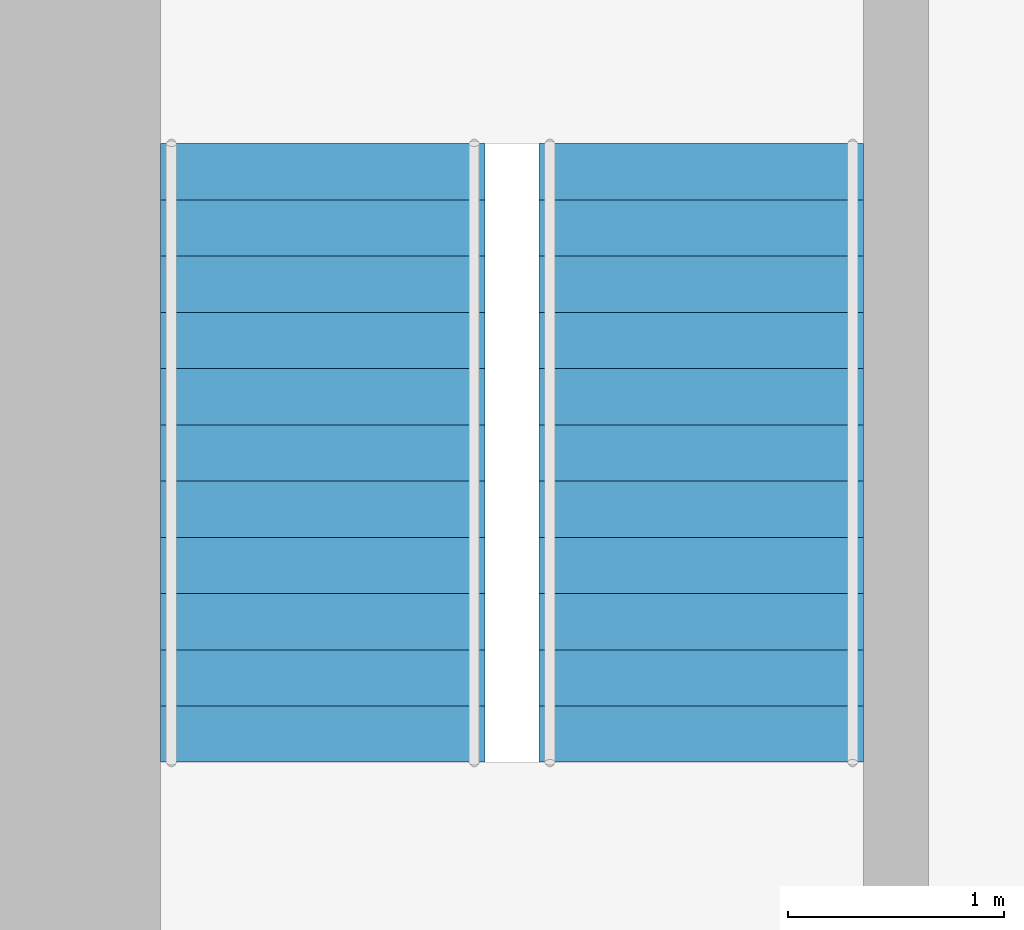
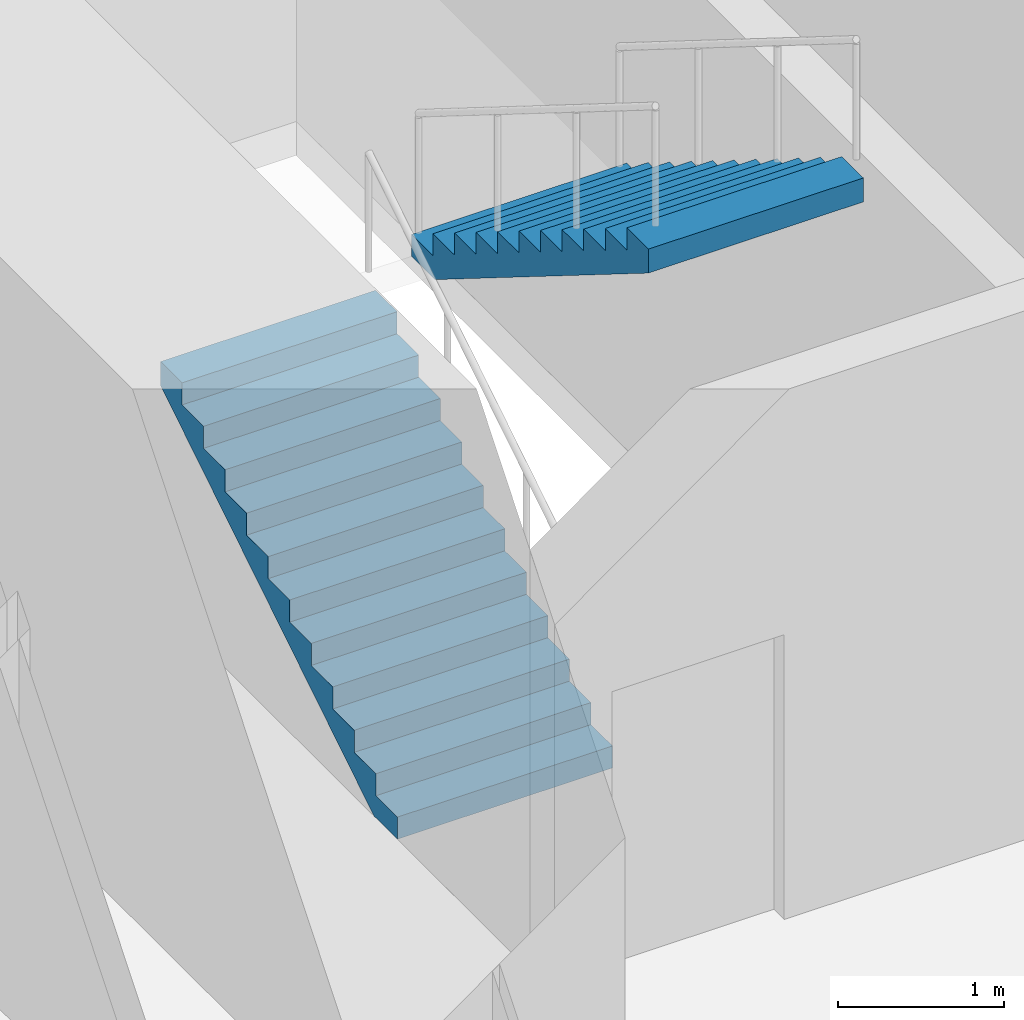
# One storey, part 11 of 12: 2 stair flights, 1 element without a shape of its own.
"""IFC4 building model written with IfcOpenShell, lengths in metres."""

from ifc_helpers import new_model, si_unit, direction, frame, origin, place, context, subcontext, project, spatial, polyline, outline, extrude, material, type_object, element, aggregate, save


model = new_model("IFC4")

# Units and contexts
model_context = context("Model", 3, precision=1e-05, world=origin(), true_north=direction((0.0, 1.0)))
body_context = subcontext(model_context, "Body", "Model", "MODEL_VIEW")
ifc_project = project(units=[si_unit("LENGTHUNIT", "METRE"), si_unit("AREAUNIT", "SQUARE_METRE"), si_unit("VOLUMEUNIT", "CUBIC_METRE"), si_unit("PLANEANGLEUNIT", "RADIAN"), si_unit("MASSUNIT", "GRAM", prefix="KILO")], contexts=[model_context])

# Site, building, storey
site_placement = place(None, origin())
site = spatial("IfcSite", under=ifc_project, at=site_placement, CompositionType="ELEMENT")
building_placement = place(site_placement, origin())
building = spatial("IfcBuilding", under=site, at=building_placement, Name="Highveld Stack Headquarters", CompositionType="ELEMENT")
storey_placement = place(building_placement, frame((0.0, 0.0, 41.60009765625)))
storey = spatial("IfcBuildingStorey", under=building, at=storey_placement, Name="L09", CompositionType="ELEMENT", Elevation=41.60009765625)

# Stair, stair flights
ifc_material_1 = material(Name="Concrete C40/50, precast", Category="concrete")
stair_type = type_object("IfcStairType", Name="STAIR S1 HALF TURN 1500", PredefinedType="HALF_TURN_STAIR", material=ifc_material_1)
stair_placement = place(storey_placement, origin())
stair = element("IfcStair", 1, at=stair_placement, inside=storey, type_object=stair_type, Name="Stair S1 L09", PredefinedType="HALF_TURN_STAIR")
ifc_material_2 = material(Name="Concrete C40/50, precast", Category="concrete")
stair_flight_type = type_object("IfcStairFlightType", Name="STAIR FLIGHT 1500 PRECAST", PredefinedType="STRAIGHT", material=ifc_material_2)
stair_flight_1_placement = place(storey_placement, frame((-4.85009765625, 4.75, 0.0), z_axis=(0.0, 0.0, 1.0), x_axis=(0.0, 1.0, 0.0)))
stair_flight_1 = element("IfcStairFlight", 2, at=stair_flight_1_placement, type_object=stair_flight_type, Name="S1 flight 1", NumberOfRisers=12, NumberOfTreads=11, PredefinedType="STRAIGHT", RiserHeight=0.1625, TreadLength=0.26, context=body_context, shape_type="SweptSolid", body=[
    extrude(outline(polyline([(0.0, 0.0), (0.0, 0.16259765625), (0.260009765625, 0.16259765625), (0.260009765625, 0.324951171875), (0.52001953125, 0.324951171875), (0.52001953125, 0.487548828125), (0.780029296875, 0.487548828125), (0.780029296875, 0.64990234375), (1.0400390625, 0.64990234375), (1.0400390625, 0.8125), (1.300048828125, 0.8125), (1.300048828125, 0.97509765625), (1.56005859375, 0.97509765625), (1.56005859375, 1.137451171875), (1.820068359375, 1.137451171875), (1.820068359375, 1.300048828125), (2.080078125, 1.300048828125), (2.080078125, 1.46240234375), (2.340087890625, 1.46240234375), (2.340087890625, 1.625), (2.60009765625, 1.625), (2.60009765625, 1.78759765625), (2.860107421875, 1.78759765625), (2.860107421875, 1.949951171875), (2.860107421875, 1.61083984375), (0.28271484375, 0.0), (0.0, 0.0)])), frame((0.0, 0.75, 0.0), z_axis=(0.0, -1.0, 0.0), x_axis=(1.0, 0.0, 0.0)), (0.0, 0.0, 1.0), 1.5),
])
stair_flight_2_placement = place(storey_placement, frame((-3.10009765625, 7.610107421875, 1.949951171875), z_axis=(0.0, 0.0, 1.0), x_axis=(0.0, -1.0, 0.0)))
stair_flight_2 = element("IfcStairFlight", 3, at=stair_flight_2_placement, type_object=stair_flight_type, Name="S1 flight 2", NumberOfRisers=12, NumberOfTreads=11, PredefinedType="STRAIGHT", RiserHeight=0.1625, TreadLength=0.26, context=body_context, shape_type="SweptSolid", body=[
    extrude(outline(polyline([(0.0, 0.0), (0.0, 0.16259765625), (0.260009765625, 0.16259765625), (0.260009765625, 0.324951171875), (0.52001953125, 0.324951171875), (0.52001953125, 0.487548828125), (0.780029296875, 0.487548828125), (0.780029296875, 0.64990234375), (1.0400390625, 0.64990234375), (1.0400390625, 0.8125), (1.300048828125, 0.8125), (1.300048828125, 0.97509765625), (1.56005859375, 0.97509765625), (1.56005859375, 1.137451171875), (1.820068359375, 1.137451171875), (1.820068359375, 1.300048828125), (2.080078125, 1.300048828125), (2.080078125, 1.46240234375), (2.340087890625, 1.46240234375), (2.340087890625, 1.625), (2.60009765625, 1.625), (2.60009765625, 1.78759765625), (2.860107421875, 1.78759765625), (2.860107421875, 1.949951171875), (2.860107421875, 1.61083984375), (0.28271484375, 0.0), (0.0, 0.0)])), frame((0.0, 0.75, 0.0), z_axis=(0.0, -1.0, 0.0), x_axis=(1.0, 0.0, 0.0)), (0.0, 0.0, 1.0), 1.5),
])
aggregate(stair, [stair_flight_1, stair_flight_2])

save(model, "model.ifc")
